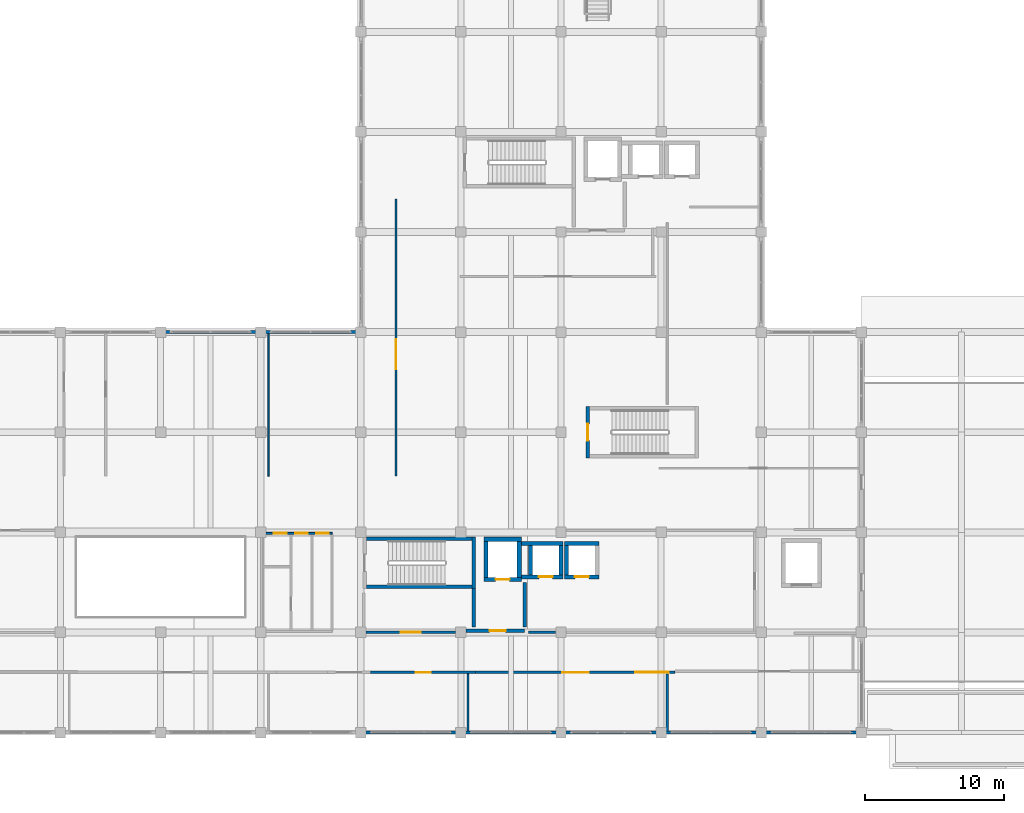
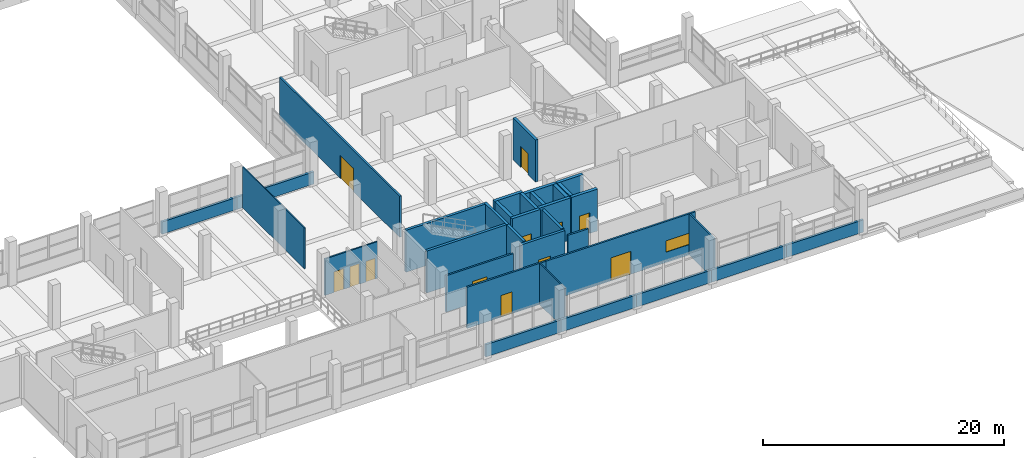
# One storey, part 129 of 141: 34 walls, 12 doors, 1 window, 13 openings.
"""IFC4 building model written with IfcOpenShell, lengths in metres."""

from ifc_helpers import new_model, si_unit, direction, frame, frame_2d, origin, place, context, subcontext, project, spatial, rectangle, extrude, material, layer, layer_set, type_object, element, fill, save


model = new_model("IFC4")

# Units and contexts
model_context = context("Model", 3, precision=1e-05, world=origin(), true_north=direction((0.0, 1.0)))
body_context = subcontext(model_context, "Body", "Model", "MODEL_VIEW")
ifc_project = project(units=[si_unit("LENGTHUNIT", "METRE"), si_unit("AREAUNIT", "SQUARE_METRE"), si_unit("VOLUMEUNIT", "CUBIC_METRE"), si_unit("PLANEANGLEUNIT", "RADIAN"), si_unit("MASSUNIT", "GRAM", prefix="KILO")], contexts=[model_context])

# Site, building, storey
site_placement = place(None, origin())
site = spatial("IfcSite", under=ifc_project, at=site_placement, CompositionType="ELEMENT")
building_placement = place(site_placement, origin())
building = spatial("IfcBuilding", under=site, at=building_placement, Name="Seraya Terrace Polytechnic", CompositionType="ELEMENT")
storey_placement = place(building_placement, frame((0.0, 0.0, 14.39990234375)))
storey = spatial("IfcBuildingStorey", under=building, at=storey_placement, Name="L03", CompositionType="ELEMENT", Elevation=14.39990234375)

# Walls
ifc_material_1 = material(Name="Precast concrete C40/50", Category="concrete")
ifc_layer_1 = layer(ifc_material_1, 0.219970703125, Name="EW-05")
ifc_layer_set_1 = layer_set([ifc_layer_1], Name="Precast concrete C40/50")
wall_type_1 = type_object("IfcWallType", Name="EW-05", PredefinedType="SOLIDWALL", material=ifc_layer_set_1)
wall_1_placement = place(storey_placement, frame((115.35009765625, 0.0, 0.0), z_axis=(0.0, 0.0, 1.0), x_axis=(-1.0, 0.0, 0.0)))
element("IfcWall", 1, at=wall_1_placement, inside=storey, type_object=wall_type_1, Name="Precast spandrel wall L03", PredefinedType="SOLIDWALL", context=body_context, shape_type="SweptSolid", body=[
    extrude(rectangle(XDim=7.35009765625, YDim=0.219970703125, at=frame_2d((3.675048828125, 0.0))), origin(), (0.0, 0.0, 1.0), 1.239990234375),
])
for number, where, z_axis, x_axis, name in (
    (2, (108.0, 0.0, 0.0), (0.0, 0.0, 1.0), (-1.0, 0.0, 0.0), "Precast spandrel wall L03"),
    (3, (100.800048828125, 0.0, 0.0), (0.0, 0.0, 1.0), (-1.0, 0.0, 0.0), "Precast spandrel wall L03"),
):
    element("IfcWall", number, at=place(storey_placement, frame(where, z_axis=z_axis, x_axis=x_axis)), inside=storey, type_object=wall_type_1, Name=name, PredefinedType="SOLIDWALL", context=body_context, shape_type="SweptSolid", body=[
        extrude(rectangle(XDim=7.199951171875, YDim=0.219970703125, at=frame_2d((3.60009765625, 0.0))), origin(), (0.0, 0.0, 1.0), 1.239990234375),
    ])
wall_2_placement = place(storey_placement, frame((93.60009765625, 0.0, 0.0), z_axis=(0.0, 0.0, 1.0), x_axis=(-1.0, 0.0, 0.0)))
element("IfcWall", 4, at=wall_2_placement, inside=storey, type_object=wall_type_1, Name="Precast spandrel wall L03", PredefinedType="SOLIDWALL", context=body_context, shape_type="SweptSolid", body=[
    extrude(rectangle(XDim=7.2001953125, YDim=0.219970703125, at=frame_2d((3.60009765625, 0.0))), origin(), (0.0, 0.0, 1.0), 1.239990234375),
])
for number, where, z_axis, x_axis, name in (
    (5, (86.39990234375, 0.0, 0.0), (0.0, 0.0, 1.0), (-1.0, 0.0, 0.0), "Precast spandrel wall L03"),
    (6, (64.800048828125, 28.800048828125, 0.0), (0.0, 0.0, 1.0), (1.0, 0.0, 0.0), "Precast spandrel wall L03"),
):
    element("IfcWall", number, at=place(storey_placement, frame(where, z_axis=z_axis, x_axis=x_axis)), inside=storey, type_object=wall_type_1, Name=name, PredefinedType="SOLIDWALL", context=body_context, shape_type="SweptSolid", body=[
        extrude(rectangle(XDim=7.199951171875, YDim=0.219970703125, at=frame_2d((3.60009765625, 0.0))), origin(), (0.0, 0.0, 1.0), 1.239990234375),
    ])
wall_3_placement = place(storey_placement, frame((72.0, 28.800048828125, 0.0), z_axis=(0.0, 0.0, 1.0), x_axis=(1.0, 0.0, 0.0)))
element("IfcWall", 7, at=wall_3_placement, inside=storey, type_object=wall_type_1, Name="Precast spandrel wall L03", PredefinedType="SOLIDWALL", context=body_context, shape_type="SweptSolid", body=[
    extrude(rectangle(XDim=7.35009765625, YDim=0.219970703125, at=frame_2d((3.675048828125, 0.0))), origin(), (0.0, 0.0, 1.0), 1.239990234375),
])

# Wall, opening, door
ifc_material_2 = material(Name="Autoclaved aerated concrete blockwork", Category="masonry")
ifc_layer_2 = layer(ifc_material_2, 0.169921875, Name="PT-02")
ifc_layer_set_2 = layer_set([ifc_layer_2], Name="Autoclaved aerated concrete blockwork")
wall_type_2 = type_object("IfcWallType", Name="PT-02", PredefinedType="PARTITIONING", material=ifc_layer_set_2)
wall_4_placement = place(storey_placement, frame((79.909912109375, 4.330078125, 0.0), z_axis=(0.0, 0.0, 1.0), x_axis=(1.0, 0.0, 0.0)))
wall_4 = element("IfcWall", 8, at=wall_4_placement, inside=storey, type_object=wall_type_2, Name="Internal partition PT-02 L03", PredefinedType="PARTITIONING", context=body_context, shape_type="SweptSolid", body=[
    extrude(rectangle(XDim=7.555908203125, YDim=0.169921875, at=frame_2d((3.77783203125, 0.0))), origin(), (0.0, 0.0, 1.0), 4.16015625),
])
opening_1_placement = place(wall_4_placement, frame((3.23779296875, 0.0, 0.0)))
opening_1 = element("IfcOpeningElement", 9, at=opening_1_placement, cuts=wall_4, Name="Opening ID-05", PredefinedType="OPENING", context=body_context, shape_type="SweptSolid", body=[
    extrude(rectangle(XDim=1.080078125, YDim=2.199951171875, at=frame_2d((0.5400390625, 1.10009765625))), frame((0.0, 0.096923828125, 0.0), z_axis=(0.0, -1.0, 0.0), x_axis=(1.0, 0.0, 0.0)), (0.0, 0.0, 1.0), 0.19384765625),
])
ifc_material_3 = material(Name="Malaysian dark red meranti hardwood timber D40", Category="wood")
door_type_1 = type_object("IfcDoorType", Name="ID-05", OperationType="NOTDEFINED", PredefinedType="DOOR", material=ifc_material_3)
door_1_placement = place(opening_1_placement, origin())
door_1 = element("IfcDoor", 10, at=door_1_placement, inside=storey, type_object=door_type_1, Name="Door ID-05 DR-INT-L03-0194 in WL-INT-L03-0555", OperationType="SINGLE_SWING_LEFT", OverallHeight=2.199951171875, OverallWidth=1.080078125, PredefinedType="DOOR", context=body_context, shape_type="SweptSolid", body=[
    extrude(rectangle(XDim=1.080078125, YDim=2.199951171875, at=frame_2d((0.5400390625, 1.10009765625))), frame((0.0, 0.02490234375, 0.0), z_axis=(0.0, -1.0, 0.0), x_axis=(1.0, 0.0, 0.0)), (0.0, 0.0, 1.0), 0.050048828125),
])
fill(opening_1, door_1)

# Wall, openings, door, window
wall_5_placement = place(storey_placement, frame((87.4658203125, 4.330078125, 0.0), z_axis=(0.0, 0.0, 1.0), x_axis=(1.0, 0.0, 0.0)))
wall_5 = element("IfcWall", 11, at=wall_5_placement, inside=storey, type_object=wall_type_2, Name="Internal partition PT-02 L03", PredefinedType="PARTITIONING", context=body_context, shape_type="SweptSolid", body=[
    extrude(rectangle(XDim=14.337158203125, YDim=0.169921875, at=frame_2d((7.16845703125, 0.0))), origin(), (0.0, 0.0, 1.0), 4.16015625),
])
opening_2_placement = place(wall_5_placement, frame((6.20849609375, 0.0, 0.0)))
opening_2 = element("IfcOpeningElement", 12, at=opening_2_placement, cuts=wall_5, Name="Opening ID-16", PredefinedType="OPENING", context=body_context, shape_type="SweptSolid", body=[
    extrude(rectangle(XDim=1.919921875, YDim=2.320068359375, at=frame_2d((0.9599609375, 1.16015625))), frame((0.0, 0.096923828125, 0.0), z_axis=(0.0, -1.0, 0.0), x_axis=(1.0, 0.0, 0.0)), (0.0, 0.0, 1.0), 0.19384765625),
])
opening_3_placement = place(wall_5_placement, frame((11.4873046875, 0.0, 1.050048828125)))
opening_3 = element("IfcOpeningElement", 13, at=opening_3_placement, cuts=wall_5, Name="Opening IW-04", PredefinedType="OPENING", context=body_context, shape_type="SweptSolid", body=[
    extrude(rectangle(XDim=2.39990234375, YDim=1.14990234375, at=frame_2d((1.199951171875, 0.574951171875))), frame((0.0, 0.096923828125, 0.0), z_axis=(0.0, -1.0, 0.0), x_axis=(1.0, 0.0, 0.0)), (0.0, 0.0, 1.0), 0.19384765625),
])
door_type_2 = type_object("IfcDoorType", Name="ID-16", OperationType="DOUBLE_DOOR_SINGLE_SWING", PredefinedType="DOOR", material=ifc_material_3)
door_2_placement = place(opening_2_placement, frame((1.919921875, 0.0, 0.0), z_axis=(0.0, 0.0, 1.0), x_axis=(-1.0, 0.0, 0.0)))
door_2 = element("IfcDoor", 14, at=door_2_placement, inside=storey, type_object=door_type_2, Name="Door ID-16 DR-INT-L03-0189 in WL-INT-L03-0556", OperationType="DOUBLE_DOOR_SINGLE_SWING", OverallHeight=2.320068359375, OverallWidth=1.919921875, PredefinedType="DOOR", context=body_context, shape_type="SweptSolid", body=[
    extrude(rectangle(XDim=1.919921875, YDim=2.320068359375, at=frame_2d((0.9599609375, 1.16015625))), frame((0.0, 0.02490234375, 0.0), z_axis=(0.0, -1.0, 0.0), x_axis=(1.0, 0.0, 0.0)), (0.0, 0.0, 1.0), 0.050048828125),
])
fill(opening_2, door_2)
ifc_material_4 = material(Name="Laminated solar-control Low-E double glazing", Category="glass")
window_type = type_object("IfcWindowType", Name="IW-04", PartitioningType="SINGLE_PANEL", PredefinedType="WINDOW", material=ifc_material_4)
window_placement = place(opening_3_placement, origin())
window = element("IfcWindow", 15, at=window_placement, inside=storey, type_object=window_type, Name="Internal lab vision window IW-04 L03", OverallHeight=1.14990234375, OverallWidth=2.39990234375, PartitioningType="SINGLE_PANEL", PredefinedType="WINDOW", context=body_context, shape_type="SweptSolid", body=[
    extrude(rectangle(XDim=2.39990234375, YDim=1.14990234375, at=frame_2d((1.199951171875, 0.574951171875))), frame((0.0, 0.030029296875, 0.0), z_axis=(0.0, -1.0, 0.0), x_axis=(1.0, 0.0, 0.0)), (0.0, 0.0, 1.0), 0.06005859375),
])
fill(opening_3, window)

# Wall, opening, door
wall_6_placement = place(storey_placement, frame((79.5849609375, 7.219970703125, 0.0), z_axis=(0.0, 0.0, 1.0), x_axis=(1.0, 0.0, 0.0)))
wall_6 = element("IfcWall", 16, at=wall_6_placement, inside=storey, type_object=wall_type_2, Name="Internal partition PT-02 L03", PredefinedType="PARTITIONING", context=body_context, shape_type="SweptSolid", body=[
    extrude(rectangle(XDim=6.429931640625, YDim=0.169921875, at=frame_2d((3.21484375, 0.0))), origin(), (0.0, 0.0, 1.0), 3.7001953125),
])
opening_4_placement = place(wall_6_placement, frame((2.5048828125, 0.0, 0.0)))
opening_4 = element("IfcOpeningElement", 17, at=opening_4_placement, cuts=wall_6, Name="Opening ID-10", PredefinedType="OPENING", context=body_context, shape_type="SweptSolid", body=[
    extrude(rectangle(XDim=1.419921875, YDim=2.239990234375, at=frame_2d((0.7099609375, 1.1201171875))), frame((0.0, 0.096923828125, 0.0), z_axis=(0.0, -1.0, 0.0), x_axis=(1.0, 0.0, 0.0)), (0.0, 0.0, 1.0), 0.19384765625),
])
door_type_3 = type_object("IfcDoorType", Name="ID-10", OperationType="DOUBLE_DOOR_SINGLE_SWING", PredefinedType="DOOR", material=ifc_material_3)
door_3_placement = place(opening_4_placement, frame((1.419921875, 0.0, 0.0), z_axis=(0.0, 0.0, 1.0), x_axis=(-1.0, 0.0, 0.0)))
door_3 = element("IfcDoor", 18, at=door_3_placement, inside=storey, type_object=door_type_3, Name="Door ID-10 DR-INT-L03-0199 in WL-INT-L03-0560", OperationType="DOUBLE_DOOR_SINGLE_SWING", OverallHeight=2.239990234375, OverallWidth=1.419921875, PredefinedType="DOOR", context=body_context, shape_type="SweptSolid", body=[
    extrude(rectangle(XDim=1.419921875, YDim=2.239990234375, at=frame_2d((0.7099609375, 1.1201171875))), frame((0.0, 0.02490234375, 0.0), z_axis=(0.0, -1.0, 0.0), x_axis=(1.0, 0.0, 0.0)), (0.0, 0.0, 1.0), 0.050048828125),
])
fill(opening_4, door_3)

# Wall
wall_7_placement = place(storey_placement, frame((91.260986328125, 7.219970703125, 0.0), z_axis=(0.0, 0.0, 1.0), x_axis=(1.0, 0.0, 0.0)))
element("IfcWall", 19, at=wall_7_placement, inside=storey, type_object=wall_type_2, Name="Internal partition PT-02 L03", PredefinedType="PARTITIONING", context=body_context, shape_type="SweptSolid", body=[
    extrude(rectangle(XDim=1.9541015625, YDim=0.169921875, at=frame_2d((0.97705078125, 0.0))), origin(), (0.0, 0.0, 1.0), 3.7001953125),
])

# Wall, opening, door
wall_8_placement = place(storey_placement, frame((81.72998046875, 18.449951171875, 0.0), z_axis=(0.0, 0.0, 1.0), x_axis=(0.0, 1.0, 0.0)))
wall_8 = element("IfcWall", 20, at=wall_8_placement, inside=storey, type_object=wall_type_2, Name="Internal partition PT-02 L03", PredefinedType="PARTITIONING", context=body_context, shape_type="SweptSolid", body=[
    extrude(rectangle(XDim=19.91015625, YDim=0.169921875, at=frame_2d((9.955078125, 0.0))), origin(), (0.0, 0.0, 1.0), 4.16015625),
])
opening_5_placement = place(wall_8_placement, frame((7.675048828125, 0.0, 0.0)))
opening_5 = element("IfcOpeningElement", 21, at=opening_5_placement, cuts=wall_8, Name="Opening ID-18", PredefinedType="OPENING", context=body_context, shape_type="SweptSolid", body=[
    extrude(rectangle(XDim=2.159912109375, YDim=2.35009765625, at=frame_2d((1.080078125, 1.175048828125))), frame((0.0, 0.096923828125, 0.0), z_axis=(0.0, -1.0, 0.0), x_axis=(1.0, 0.0, 0.0)), (0.0, 0.0, 1.0), 0.19384765625),
])
door_type_4 = type_object("IfcDoorType", Name="ID-18", OperationType="DOUBLE_DOOR_SINGLE_SWING", PredefinedType="DOOR", material=ifc_material_3)
door_4_placement = place(opening_5_placement, frame((2.159912109375, 0.0, 0.0), z_axis=(0.0, 0.0, 1.0), x_axis=(-1.0, 0.0, 0.0)))
door_4 = element("IfcDoor", 22, at=door_4_placement, inside=storey, type_object=door_type_4, Name="Door ID-18 DR-INT-L03-0207 in WL-INT-L03-0570", OperationType="DOUBLE_DOOR_SINGLE_SWING", OverallHeight=2.35009765625, OverallWidth=2.159912109375, PredefinedType="DOOR", context=body_context, shape_type="SweptSolid", body=[
    extrude(rectangle(XDim=2.159912109375, YDim=2.35009765625, at=frame_2d((1.080078125, 1.175048828125))), frame((0.0, 0.02490234375, 0.0), z_axis=(0.0, -1.0, 0.0), x_axis=(1.0, 0.0, 0.0)), (0.0, 0.0, 1.0), 0.050048828125),
])
fill(opening_5, door_4)

# Wall
ifc_layer_3 = layer(ifc_material_2, 0.14990234375, Name="PT-03")
ifc_layer_set_3 = layer_set([ifc_layer_3], Name="Autoclaved aerated concrete blockwork")
wall_type_3 = type_object("IfcWallType", Name="PT-03", PredefinedType="PARTITIONING", material=ifc_layer_set_3)
wall_9_placement = place(storey_placement, frame((101.242919921875, 0.1220703125, 0.0), z_axis=(0.0, 0.0, 1.0), x_axis=(0.0, 1.0, 0.0)))
element("IfcWall", 23, at=wall_9_placement, inside=storey, type_object=wall_type_3, Name="Internal partition PT-03 L03", PredefinedType="PARTITIONING", context=body_context, shape_type="SweptSolid", body=[
    extrude(rectangle(XDim=4.10791015625, YDim=0.14990234375, at=frame_2d((2.053955078125, 0.0))), origin(), (0.0, 0.0, 1.0), 4.16015625),
])

# Wall, openings, doors
ifc_layer_4 = layer(ifc_material_2, 0.139892578125, Name="PT-04")
ifc_layer_set_4 = layer_set([ifc_layer_4], Name="Autoclaved aerated concrete blockwork")
wall_type_4 = type_object("IfcWallType", Name="PT-04", PredefinedType="PARTITIONING", material=ifc_layer_set_4)
wall_10_placement = place(storey_placement, frame((72.070068359375, 14.330078125, 0.0), z_axis=(0.0, 0.0, 1.0), x_axis=(1.0, 0.0, 0.0)))
wall_10 = element("IfcWall", 24, at=wall_10_placement, inside=storey, type_object=wall_type_4, Name="Sanitary WC-A North wall L03", PredefinedType="PARTITIONING", context=body_context, shape_type="SweptSolid", body=[
    extrude(rectangle(XDim=5.059814453125, YDim=0.139892578125, at=frame_2d((2.52978515625, 0.0))), origin(), (0.0, 0.0, 1.0), 3.7001953125),
])
opening_6_placement = place(wall_10_placement, frame((0.8798828125, 0.0, 0.0)))
opening_6 = element("IfcOpeningElement", 25, at=opening_6_placement, cuts=wall_10, Name="Opening ID-01", PredefinedType="OPENING", context=body_context, shape_type="SweptSolid", body=[
    extrude(rectangle(XDim=0.93994140625, YDim=2.10009765625, at=frame_2d((0.469970703125, 1.050048828125))), frame((0.0, 0.08203125, 0.0), z_axis=(0.0, -1.0, 0.0), x_axis=(1.0, 0.0, 0.0)), (0.0, 0.0, 1.0), 0.163818359375),
])
opening_7_placement = place(wall_10_placement, frame((2.4150390625, 0.0, 0.0)))
opening_7 = element("IfcOpeningElement", 26, at=opening_7_placement, cuts=wall_10, Name="Opening ID-02", PredefinedType="OPENING", context=body_context, shape_type="SweptSolid", body=[
    extrude(rectangle(XDim=0.89990234375, YDim=2.080078125, at=frame_2d((0.449951171875, 1.0400390625))), frame((0.0, 0.08203125, 0.0), z_axis=(0.0, -1.0, 0.0), x_axis=(1.0, 0.0, 0.0)), (0.0, 0.0, 1.0), 0.163818359375),
])
opening_8_placement = place(wall_10_placement, frame((3.925048828125, 0.0, 0.0)))
opening_8 = element("IfcOpeningElement", 27, at=opening_8_placement, cuts=wall_10, Name="Opening ID-02", PredefinedType="OPENING", context=body_context, shape_type="SweptSolid", body=[
    extrude(rectangle(XDim=0.89990234375, YDim=2.080078125, at=frame_2d((0.449951171875, 1.0400390625))), frame((0.0, 0.08203125, 0.0), z_axis=(0.0, -1.0, 0.0), x_axis=(1.0, 0.0, 0.0)), (0.0, 0.0, 1.0), 0.163818359375),
])
door_type_5 = type_object("IfcDoorType", Name="ID-01", OperationType="NOTDEFINED", PredefinedType="DOOR", material=ifc_material_3)
door_5_placement = place(opening_6_placement, origin())
door_5 = element("IfcDoor", 28, at=door_5_placement, inside=storey, type_object=door_type_5, Name="Door ID-01 DR-WC-WC-A-L03-OKU in WL-WC-WC-A-L03-N", OperationType="SINGLE_SWING_LEFT", OverallHeight=2.10009765625, OverallWidth=0.93994140625, PredefinedType="DOOR", context=body_context, shape_type="SweptSolid", body=[
    extrude(rectangle(XDim=0.93994140625, YDim=2.10009765625, at=frame_2d((0.469970703125, 1.050048828125))), frame((0.0, 0.02490234375, 0.0), z_axis=(0.0, -1.0, 0.0), x_axis=(1.0, 0.0, 0.0)), (0.0, 0.0, 1.0), 0.050048828125),
])
fill(opening_6, door_5)
door_type_6 = type_object("IfcDoorType", Name="ID-02", OperationType="NOTDEFINED", PredefinedType="DOOR", material=ifc_material_3)
door_6_placement = place(opening_7_placement, frame((0.89990234375, 0.0, 0.0), z_axis=(0.0, 0.0, 1.0), x_axis=(-1.0, 0.0, 0.0)))
door_6 = element("IfcDoor", 29, at=door_6_placement, inside=storey, type_object=door_type_6, Name="Door ID-02 DR-WC-WC-A-L03-M in WL-WC-WC-A-L03-N", OperationType="SINGLE_SWING_RIGHT", OverallHeight=2.080078125, OverallWidth=0.89990234375, PredefinedType="DOOR", context=body_context, shape_type="SweptSolid", body=[
    extrude(rectangle(XDim=0.89990234375, YDim=2.080078125, at=frame_2d((0.449951171875, 1.0400390625))), frame((0.0, 0.02490234375, 0.0), z_axis=(0.0, -1.0, 0.0), x_axis=(1.0, 0.0, 0.0)), (0.0, 0.0, 1.0), 0.050048828125),
])
fill(opening_7, door_6)
door_7_placement = place(opening_8_placement, frame((0.89990234375, 0.0, 0.0), z_axis=(0.0, 0.0, 1.0), x_axis=(-1.0, 0.0, 0.0)))
door_7 = element("IfcDoor", 30, at=door_7_placement, inside=storey, type_object=door_type_6, Name="Door ID-02 DR-WC-WC-A-L03-F in WL-WC-WC-A-L03-N", OperationType="SINGLE_SWING_LEFT", OverallHeight=2.080078125, OverallWidth=0.89990234375, PredefinedType="DOOR", context=body_context, shape_type="SweptSolid", body=[
    extrude(rectangle(XDim=0.89990234375, YDim=2.080078125, at=frame_2d((0.449951171875, 1.0400390625))), frame((0.0, 0.02490234375, 0.0), z_axis=(0.0, -1.0, 0.0), x_axis=(1.0, 0.0, 0.0)), (0.0, 0.0, 1.0), 0.050048828125),
])
fill(opening_8, door_7)

# Walls
ifc_layer_5 = layer(ifc_material_2, 0.1201171875, Name="PT-05")
ifc_layer_set_5 = layer_set([ifc_layer_5], Name="Autoclaved aerated concrete blockwork")
wall_type_5 = type_object("IfcWallType", Name="PT-05", PredefinedType="PARTITIONING", material=ifc_layer_set_5)
wall_11_placement = place(storey_placement, frame((86.90576171875, 0.1220703125, 0.0), z_axis=(0.0, 0.0, 1.0), x_axis=(0.0, 1.0, 0.0)))
element("IfcWall", 31, at=wall_11_placement, inside=storey, type_object=wall_type_5, Name="Internal partition PT-05 L03", PredefinedType="PARTITIONING", context=body_context, shape_type="SweptSolid", body=[
    extrude(rectangle(XDim=4.10791015625, YDim=0.1201171875, at=frame_2d((2.053955078125, 0.0))), origin(), (0.0, 0.0, 1.0), 4.16015625),
])
ifc_layer_6 = layer(ifc_material_2, 0.10009765625, Name="PT-06")
ifc_layer_set_6 = layer_set([ifc_layer_6], Name="Autoclaved aerated concrete blockwork")
wall_type_6 = type_object("IfcWallType", Name="PT-06", PredefinedType="PARTITIONING", material=ifc_layer_set_6)
wall_12_placement = place(storey_placement, frame((72.568603515625, 18.449951171875, 0.0), z_axis=(0.0, 0.0, 1.0), x_axis=(0.0, 1.0, 0.0)))
element("IfcWall", 32, at=wall_12_placement, inside=storey, type_object=wall_type_6, Name="Internal partition PT-06 L03", PredefinedType="PARTITIONING", context=body_context, shape_type="SweptSolid", body=[
    extrude(rectangle(XDim=10.22802734375, YDim=0.10009765625, at=frame_2d((5.114013671875, 0.0))), origin(), (0.0, 0.0, 1.0), 4.16015625),
])

# Wall, opening, door
ifc_material_5 = material(Name="Concrete C40/50", Category="concrete")
ifc_layer_7 = layer(ifc_material_5, 0.300048828125, Name="SW-01")
ifc_layer_set_7 = layer_set([ifc_layer_7], Name="Concrete C40/50")
wall_type_7 = type_object("IfcWallType", Name="SW-01", PredefinedType="SHEAR", material=ifc_layer_set_7)
wall_13_placement = place(storey_placement, frame((88.050048828125, 11.0, 0.0), z_axis=(0.0, 0.0, 1.0), x_axis=(1.0, 0.0, 0.0)))
wall_13 = element("IfcWall", 33, at=wall_13_placement, inside=storey, type_object=wall_type_7, Name="Lift shaft FL-01 South wall L03", PredefinedType="SHEAR", context=body_context, shape_type="SweptSolid", body=[
    extrude(rectangle(XDim=2.699951171875, YDim=0.300048828125, at=frame_2d((1.35009765625, 0.0))), origin(), (0.0, 0.0, 1.0), 4.25),
])
opening_9_placement = place(wall_13_placement, frame((0.85009765625, 0.0, 0.0)))
opening_9 = element("IfcOpeningElement", 34, at=opening_9_placement, cuts=wall_13, Name="Opening LD-01", PredefinedType="OPENING", context=body_context, shape_type="SweptSolid", body=[
    extrude(rectangle(XDim=1.0, YDim=2.10009765625, at=frame_2d((0.5, 1.050048828125))), frame((0.0, 0.162109375, 0.0), z_axis=(0.0, -1.0, 0.0), x_axis=(1.0, 0.0, 0.0)), (0.0, 0.0, 1.0), 0.323974609375),
])
ifc_material_6 = material(Name="Steel S355J2", Category="steel")
door_type_7 = type_object("IfcDoorType", Name="LD-01", OperationType="SLIDING_TO_LEFT", PredefinedType="DOOR", material=ifc_material_6)
door_8_placement = place(opening_9_placement, frame((1.0, 0.0, 0.0), z_axis=(0.0, 0.0, 1.0), x_axis=(-1.0, 0.0, 0.0)))
door_8 = element("IfcDoor", 35, at=door_8_placement, inside=storey, type_object=door_type_7, Name="Door LD-01 LD-FL-01-L03 in WL-SHF-FL-01-L03-S", OperationType="SLIDING_TO_LEFT", OverallHeight=2.10009765625, OverallWidth=1.0, PredefinedType="DOOR", context=body_context, shape_type="SweptSolid", body=[
    extrude(rectangle(XDim=1.0, YDim=2.10009765625, at=frame_2d((0.5, 1.050048828125))), frame((0.0, 0.02490234375, 0.0), z_axis=(0.0, -1.0, 0.0), x_axis=(1.0, 0.0, 0.0)), (0.0, 0.0, 1.0), 0.050048828125),
])
fill(opening_9, door_8)

# Walls
wall_14_placement = place(storey_placement, frame((88.050048828125, 13.89990234375, 0.0), z_axis=(0.0, 0.0, 1.0), x_axis=(1.0, 0.0, 0.0)))
element("IfcWall", 36, at=wall_14_placement, inside=storey, type_object=wall_type_7, Name="Lift shaft FL-01 North wall L03", PredefinedType="SHEAR", context=body_context, shape_type="SweptSolid", body=[
    extrude(rectangle(XDim=2.699951171875, YDim=0.300048828125, at=frame_2d((1.35009765625, 0.0))), origin(), (0.0, 0.0, 1.0), 4.25),
])
for number, where, z_axis, x_axis, name in (
    (37, (88.199951171875, 11.14990234375, 0.0), (0.0, 0.0, 1.0), (0.0, 1.0, 0.0), "Lift shaft FL-01 West wall L03"),
    (38, (90.60009765625, 11.14990234375, 0.0), (0.0, 0.0, 1.0), (0.0, 1.0, 0.0), "Lift shaft FL-01 East wall L03"),
):
    element("IfcWall", number, at=place(storey_placement, frame(where, z_axis=z_axis, x_axis=x_axis)), inside=storey, type_object=wall_type_7, Name=name, PredefinedType="SHEAR", context=body_context, shape_type="SweptSolid", body=[
        extrude(rectangle(XDim=2.60009765625, YDim=0.300048828125, at=frame_2d((1.300048828125, 0.0))), origin(), (0.0, 0.0, 1.0), 4.25),
    ])

# Wall, opening, door
wall_15_placement = place(storey_placement, frame((90.75, 11.199951171875, 0.0), z_axis=(0.0, 0.0, 1.0), x_axis=(1.0, 0.0, 0.0)))
wall_15 = element("IfcWall", 39, at=wall_15_placement, inside=storey, type_object=wall_type_7, Name="Lift shaft PL-01 South wall L03", PredefinedType="SHEAR", context=body_context, shape_type="SweptSolid", body=[
    extrude(rectangle(XDim=3.0, YDim=0.300048828125, at=frame_2d((1.5, 0.0))), origin(), (0.0, 0.0, 1.0), 4.25),
])
opening_10_placement = place(wall_15_placement, frame((1.25, 0.0, 0.0)))
opening_10 = element("IfcOpeningElement", 40, at=opening_10_placement, cuts=wall_15, Name="Opening LD-01", PredefinedType="OPENING", context=body_context, shape_type="SweptSolid", body=[
    extrude(rectangle(XDim=1.0, YDim=2.10009765625, at=frame_2d((0.5, 1.050048828125))), frame((0.0, 0.162109375, 0.0), z_axis=(0.0, -1.0, 0.0), x_axis=(1.0, 0.0, 0.0)), (0.0, 0.0, 1.0), 0.323974609375),
])
door_9_placement = place(opening_10_placement, frame((1.0, 0.0, 0.0), z_axis=(0.0, 0.0, 1.0), x_axis=(-1.0, 0.0, 0.0)))
door_9 = element("IfcDoor", 41, at=door_9_placement, inside=storey, type_object=door_type_7, Name="Door LD-01 LD-PL-01-L03 in WL-SHF-PL-01-L03-S", OperationType="SLIDING_TO_RIGHT", OverallHeight=2.10009765625, OverallWidth=1.0, PredefinedType="DOOR", context=body_context, shape_type="SweptSolid", body=[
    extrude(rectangle(XDim=1.0, YDim=2.10009765625, at=frame_2d((0.5, 1.050048828125))), frame((0.0, 0.02490234375, 0.0), z_axis=(0.0, -1.0, 0.0), x_axis=(1.0, 0.0, 0.0)), (0.0, 0.0, 1.0), 0.050048828125),
])
fill(opening_10, door_9)

# Walls
wall_16_placement = place(storey_placement, frame((90.75, 13.60009765625, 0.0), z_axis=(0.0, 0.0, 1.0), x_axis=(1.0, 0.0, 0.0)))
element("IfcWall", 42, at=wall_16_placement, inside=storey, type_object=wall_type_7, Name="Lift shaft PL-01 North wall L03", PredefinedType="SHEAR", context=body_context, shape_type="SweptSolid", body=[
    extrude(rectangle(XDim=3.0, YDim=0.300048828125, at=frame_2d((1.5, 0.0))), origin(), (0.0, 0.0, 1.0), 4.25),
])
for number, where, z_axis, x_axis, name in (
    (43, (91.39990234375, 11.35009765625, 0.0), (0.0, 0.0, 1.0), (0.0, 1.0, 0.0), "Lift shaft PL-01 West wall L03"),
    (44, (93.60009765625, 11.35009765625, 0.0), (0.0, 0.0, 1.0), (0.0, 1.0, 0.0), "Lift shaft PL-01 East wall L03"),
):
    element("IfcWall", number, at=place(storey_placement, frame(where, z_axis=z_axis, x_axis=x_axis)), inside=storey, type_object=wall_type_7, Name=name, PredefinedType="SHEAR", context=body_context, shape_type="SweptSolid", body=[
        extrude(rectangle(XDim=2.099853515625, YDim=0.300048828125, at=frame_2d((1.0498046875, 0.0))), origin(), (0.0, 0.0, 1.0), 4.25),
    ])

# Wall, opening, door
wall_17_placement = place(storey_placement, frame((93.85009765625, 11.199951171875, 0.0), z_axis=(0.0, 0.0, 1.0), x_axis=(1.0, 0.0, 0.0)))
wall_17 = element("IfcWall", 45, at=wall_17_placement, inside=storey, type_object=wall_type_7, Name="Lift shaft PL-02 South wall L03", PredefinedType="SHEAR", context=body_context, shape_type="SweptSolid", body=[
    extrude(rectangle(XDim=2.5, YDim=0.300048828125, at=frame_2d((1.25, 0.0))), origin(), (0.0, 0.0, 1.0), 4.25),
])
opening_11_placement = place(wall_17_placement, frame((0.75, 0.0, 0.0)))
opening_11 = element("IfcOpeningElement", 46, at=opening_11_placement, cuts=wall_17, Name="Opening LD-01", PredefinedType="OPENING", context=body_context, shape_type="SweptSolid", body=[
    extrude(rectangle(XDim=1.0, YDim=2.10009765625, at=frame_2d((0.5, 1.050048828125))), frame((0.0, 0.162109375, 0.0), z_axis=(0.0, -1.0, 0.0), x_axis=(1.0, 0.0, 0.0)), (0.0, 0.0, 1.0), 0.323974609375),
])
door_10_placement = place(opening_11_placement, frame((1.0, 0.0, 0.0), z_axis=(0.0, 0.0, 1.0), x_axis=(-1.0, 0.0, 0.0)))
door_10 = element("IfcDoor", 47, at=door_10_placement, inside=storey, type_object=door_type_7, Name="Door LD-01 LD-PL-02-L03 in WL-SHF-PL-02-L03-S", OperationType="SLIDING_TO_LEFT", OverallHeight=2.10009765625, OverallWidth=1.0, PredefinedType="DOOR", context=body_context, shape_type="SweptSolid", body=[
    extrude(rectangle(XDim=1.0, YDim=2.10009765625, at=frame_2d((0.5, 1.050048828125))), frame((0.0, 0.02490234375, 0.0), z_axis=(0.0, -1.0, 0.0), x_axis=(1.0, 0.0, 0.0)), (0.0, 0.0, 1.0), 0.050048828125),
])
fill(opening_11, door_10)

# Walls
wall_18_placement = place(storey_placement, frame((93.85009765625, 13.60009765625, 0.0), z_axis=(0.0, 0.0, 1.0), x_axis=(1.0, 0.0, 0.0)))
element("IfcWall", 48, at=wall_18_placement, inside=storey, type_object=wall_type_7, Name="Lift shaft PL-02 North wall L03", PredefinedType="SHEAR", context=body_context, shape_type="SweptSolid", body=[
    extrude(rectangle(XDim=2.5, YDim=0.300048828125, at=frame_2d((1.25, 0.0))), origin(), (0.0, 0.0, 1.0), 4.25),
])
wall_19_placement = place(storey_placement, frame((94.0, 11.35009765625, 0.0), z_axis=(0.0, 0.0, 1.0), x_axis=(0.0, 1.0, 0.0)))
element("IfcWall", 49, at=wall_19_placement, inside=storey, type_object=wall_type_7, Name="Lift shaft PL-02 West wall L03", PredefinedType="SHEAR", context=body_context, shape_type="SweptSolid", body=[
    extrude(rectangle(XDim=2.099853515625, YDim=0.300048828125, at=frame_2d((1.0498046875, 0.0))), origin(), (0.0, 0.0, 1.0), 4.25),
])
ifc_layer_8 = layer(ifc_material_5, 0.25, Name="SW-02")
ifc_layer_set_8 = layer_set([ifc_layer_8], Name="Concrete C40/50")
wall_type_8 = type_object("IfcWallType", Name="SW-02", PredefinedType="SHEAR", material=ifc_layer_set_8)
wall_20_placement = place(storey_placement, frame((87.324951171875, 10.35009765625, 0.0), z_axis=(0.0, 0.0, 1.0), x_axis=(0.0, 1.0, 0.0)))
element("IfcWall", 50, at=wall_20_placement, inside=storey, type_object=wall_type_8, Name="Stairwell ST-01 East wall L03", PredefinedType="SHEAR", context=body_context, shape_type="SweptSolid", body=[
    extrude(rectangle(XDim=3.699951171875, YDim=0.25, at=frame_2d((1.85009765625, 0.0))), origin(), (0.0, 0.0, 1.0), 4.25),
])
for number, where, z_axis, x_axis, name in (
    (51, (79.60009765625, 10.47509765625, 0.0), (0.0, 0.0, 1.0), (1.0, 0.0, 0.0), "Stairwell ST-01 South wall L03"),
    (52, (79.60009765625, 13.925048828125, 0.0), (0.0, 0.0, 1.0), (1.0, 0.0, 0.0), "Stairwell ST-01 North wall L03"),
):
    element("IfcWall", number, at=place(storey_placement, frame(where, z_axis=z_axis, x_axis=x_axis)), inside=storey, type_object=wall_type_8, Name=name, PredefinedType="SHEAR", context=body_context, shape_type="SweptSolid", body=[
        extrude(rectangle(XDim=7.599853515625, YDim=0.25, at=frame_2d((3.7998046875, 0.0))), origin(), (0.0, 0.0, 1.0), 4.25),
    ])

# Wall, opening, door
wall_21_placement = place(storey_placement, frame((95.52490234375, 19.75, 0.0), z_axis=(0.0, 0.0, 1.0), x_axis=(0.0, 1.0, 0.0)))
wall_21 = element("IfcWall", 53, at=wall_21_placement, inside=storey, type_object=wall_type_8, Name="Stairwell ST-05 West wall L03", PredefinedType="SHEAR", context=body_context, shape_type="SweptSolid", body=[
    extrude(rectangle(XDim=3.699951171875, YDim=0.25, at=frame_2d((1.85009765625, 0.0))), origin(), (0.0, 0.0, 1.0), 4.25),
])
opening_12_placement = place(wall_21_placement, frame((1.25, 0.0, 0.0)))
opening_12 = element("IfcOpeningElement", 54, at=opening_12_placement, cuts=wall_21, Name="Opening FD-01", PredefinedType="OPENING", context=body_context, shape_type="SweptSolid", body=[
    extrude(rectangle(XDim=1.199951171875, YDim=2.14990234375, at=frame_2d((0.60009765625, 1.074951171875))), frame((0.0, 0.136962890625, 0.0), z_axis=(0.0, -1.0, 0.0), x_axis=(1.0, 0.0, 0.0)), (0.0, 0.0, 1.0), 0.27392578125),
])
door_type_8 = type_object("IfcDoorType", Name="FD-01", OperationType="NOTDEFINED", PredefinedType="DOOR", material=ifc_material_6)
door_11_placement = place(opening_12_placement, frame((1.199951171875, 0.0, 0.0), z_axis=(0.0, 0.0, 1.0), x_axis=(-1.0, 0.0, 0.0)))
door_11 = element("IfcDoor", 55, at=door_11_placement, inside=storey, type_object=door_type_8, Name="Door FD-01 DR-STR-ST-05-L03 in WL-STR-ST-05-L03-W", OperationType="SINGLE_SWING_LEFT", OverallHeight=2.14990234375, OverallWidth=1.199951171875, PredefinedType="DOOR", context=body_context, shape_type="SweptSolid", body=[
    extrude(rectangle(XDim=1.199951171875, YDim=2.14990234375, at=frame_2d((0.60009765625, 1.074951171875))), frame((0.0, 0.02490234375, 0.0), z_axis=(0.0, -1.0, 0.0), x_axis=(1.0, 0.0, 0.0)), (0.0, 0.0, 1.0), 0.050048828125),
])
fill(opening_12, door_11)

wall_22_placement = place(storey_placement, frame((86.77490234375, 7.324951171875, 0.0), z_axis=(0.0, 0.0, 1.0), x_axis=(1.0, 0.0, 0.0)))
wall_22 = element("IfcWall", 56, at=wall_22_placement, inside=storey, type_object=wall_type_8, Name="Firefighting lobby A South wall L03", PredefinedType="SHEAR", context=body_context, shape_type="SweptSolid", body=[
    extrude(rectangle(XDim=4.2001953125, YDim=0.25, at=frame_2d((2.10009765625, 0.0))), origin(), (0.0, 0.0, 1.0), 4.25),
])
opening_13_placement = place(wall_22_placement, frame((1.699951171875, 0.0, 0.0)))
opening_13 = element("IfcOpeningElement", 57, at=opening_13_placement, cuts=wall_22, Name="Opening FD-02", PredefinedType="OPENING", context=body_context, shape_type="SweptSolid", body=[
    extrude(rectangle(XDim=1.14990234375, YDim=2.14990234375, at=frame_2d((0.574951171875, 1.074951171875))), frame((0.0, 0.136962890625, 0.0), z_axis=(0.0, -1.0, 0.0), x_axis=(1.0, 0.0, 0.0)), (0.0, 0.0, 1.0), 0.27392578125),
])
door_type_9 = type_object("IfcDoorType", Name="FD-02", OperationType="NOTDEFINED", PredefinedType="DOOR", material=ifc_material_6)
door_12_placement = place(opening_13_placement, frame((1.14990234375, 0.0, 0.0), z_axis=(0.0, 0.0, 1.0), x_axis=(-1.0, 0.0, 0.0)))
door_12 = element("IfcDoor", 58, at=door_12_placement, inside=storey, type_object=door_type_9, Name="Door FD-02 DR-FFL-CORE-A-L03 in WL-FFL-CORE-A-L03-S", OperationType="SINGLE_SWING_LEFT", OverallHeight=2.14990234375, OverallWidth=1.14990234375, PredefinedType="DOOR", context=body_context, shape_type="SweptSolid", body=[
    extrude(rectangle(XDim=1.14990234375, YDim=2.14990234375, at=frame_2d((0.574951171875, 1.074951171875))), frame((0.0, 0.02490234375, 0.0), z_axis=(0.0, -1.0, 0.0), x_axis=(1.0, 0.0, 0.0)), (0.0, 0.0, 1.0), 0.050048828125),
])
fill(opening_13, door_12)

# Walls
wall_23_placement = place(storey_placement, frame((87.324951171875, 7.574951171875, 0.0), z_axis=(0.0, 0.0, 1.0), x_axis=(0.0, 1.0, 0.0)))
element("IfcWall", 59, at=wall_23_placement, inside=storey, type_object=wall_type_8, Name="Firefighting lobby A West wall L03", PredefinedType="SHEAR", context=body_context, shape_type="SweptSolid", body=[
    extrude(rectangle(XDim=2.77001953125, YDim=0.25, at=frame_2d((1.385009765625, 0.0))), origin(), (0.0, 0.0, 1.0), 4.25),
])
wall_24_placement = place(storey_placement, frame((90.97509765625, 7.574951171875, 0.0), z_axis=(0.0, 0.0, 1.0), x_axis=(0.0, 1.0, 0.0)))
element("IfcWall", 60, at=wall_24_placement, inside=storey, type_object=wall_type_8, Name="Firefighting lobby A East wall L03", PredefinedType="SHEAR", context=body_context, shape_type="SweptSolid", body=[
    extrude(rectangle(XDim=3.22509765625, YDim=0.25, at=frame_2d((1.612548828125, 0.0))), origin(), (0.0, 0.0, 1.0), 4.25),
])

save(model, "model.ifc")
